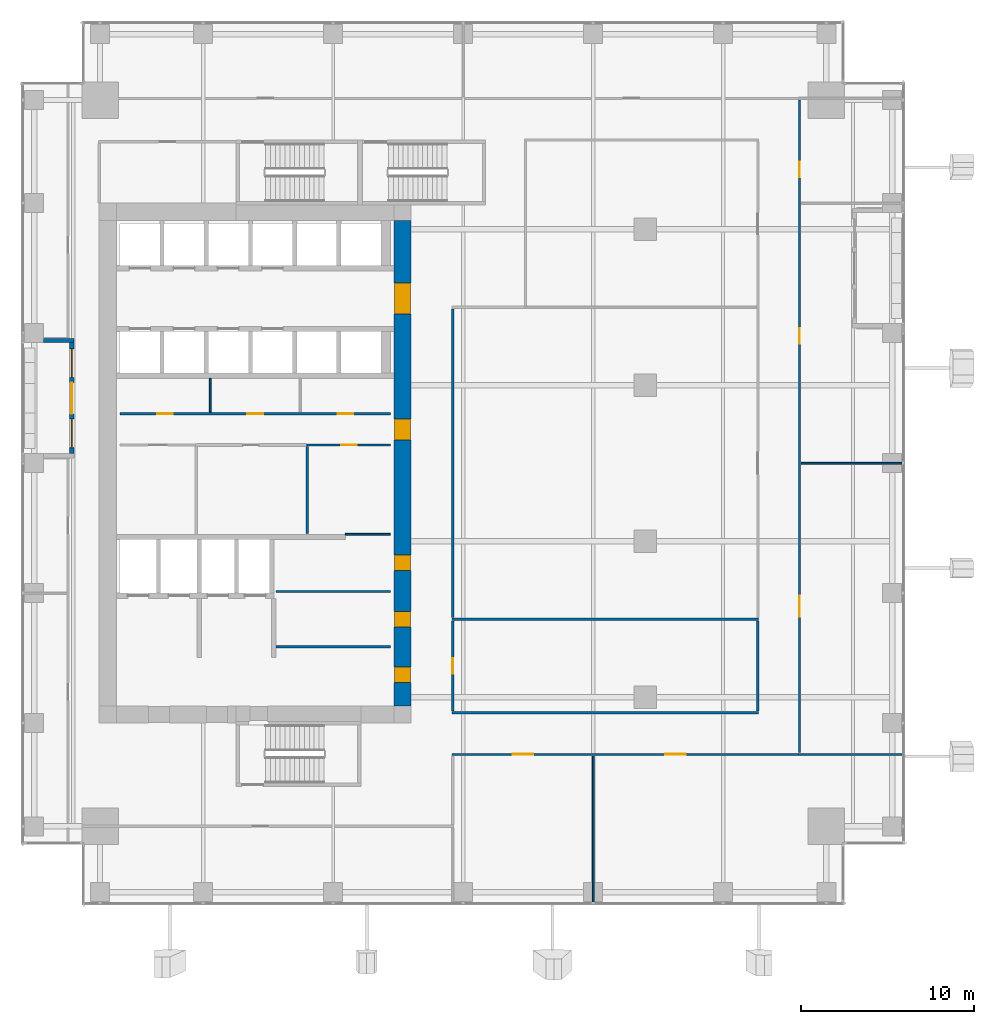
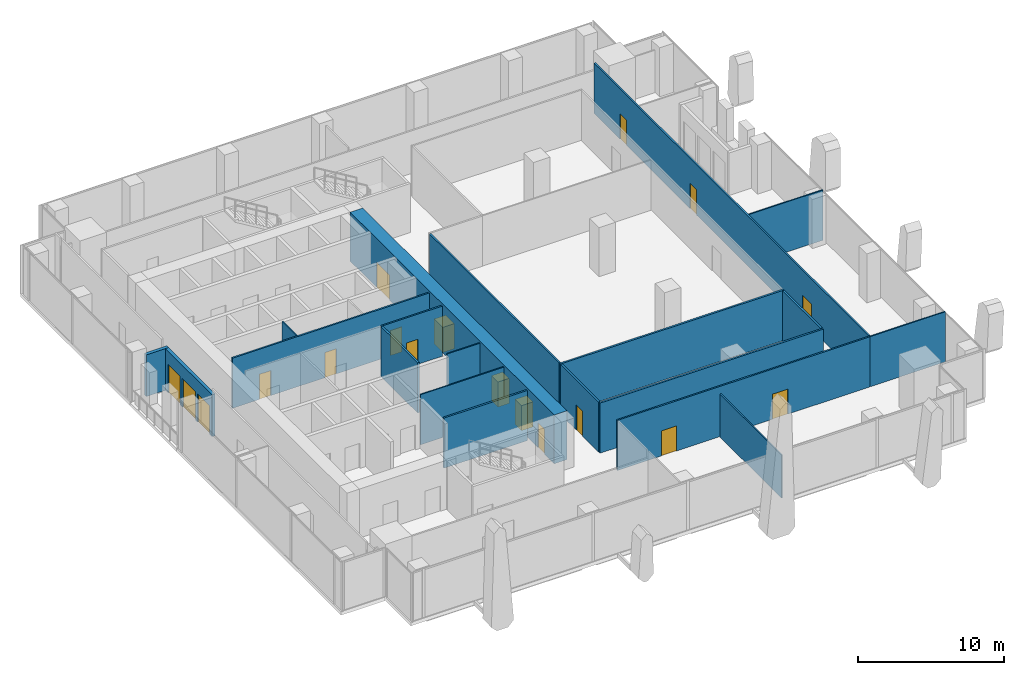
# One storey, part 29 of 35: 20 walls, 16 doors, 2 windows, 18 openings.
"""IFC4 building model written with IfcOpenShell, lengths in metres."""

from ifc_helpers import new_model, si_unit, direction, frame, frame_2d, origin, place, context, subcontext, project, spatial, rectangle, extrude, source, transform, mapped, material, layer, layer_set, type_object, element, fill, save


model = new_model("IFC4")

# Units and contexts
model_context = context("Model", 3, precision=1e-05, world=origin(), true_north=direction((0.0, 1.0)))
body_context = subcontext(model_context, "Body", "Model", "MODEL_VIEW")
ifc_project = project(units=[si_unit("LENGTHUNIT", "METRE"), si_unit("AREAUNIT", "SQUARE_METRE"), si_unit("VOLUMEUNIT", "CUBIC_METRE"), si_unit("PLANEANGLEUNIT", "RADIAN"), si_unit("MASSUNIT", "GRAM", prefix="KILO")], contexts=[model_context])

# Site, building, storey
site_placement = place(None, origin())
site = spatial("IfcSite", under=ifc_project, at=site_placement, CompositionType="ELEMENT")
building_placement = place(site_placement, origin())
building = spatial("IfcBuilding", under=site, at=building_placement, Name="Khomas Fold Tower", CompositionType="ELEMENT")
storey_placement = place(building_placement, frame((0.0, 0.0, 136.699951171875)))
storey = spatial("IfcBuildingStorey", under=building, at=storey_placement, Name="L29", CompositionType="ELEMENT", Elevation=136.699951171875)

# Wall, openings, doors
ifc_material_1 = material(Name="Concrete C70/85", Category="concrete")
ifc_layer_1 = layer(ifc_material_1, 1.0)
ifc_layer_set_1 = layer_set([ifc_layer_1], Name="Concrete C70/85")
wall_type_1 = type_object("IfcWallType", Name="Core wall 1000", PredefinedType="SHEAR", material=ifc_layer_set_1)
shared_shape_1 = source(origin(), body_context, "Body", "SweptSolid", [
    extrude(rectangle(XDim=28.0, YDim=1.0, at=frame_2d((14.0, 0.0))), origin(), (0.0, 0.0, 1.0), 4.10009765625),
])
wall_1_placement = place(storey_placement, frame((23.5, 13.0, 0.0), z_axis=(0.0, 0.0, 1.0), x_axis=(0.0, 1.0, 0.0)))
wall_1 = element("IfcWall", 1, at=wall_1_placement, inside=storey, type_object=wall_type_1, Name="Core wall CW-L-E-L21", PredefinedType="SHEAR", context=body_context, shape_type="MappedRepresentation", body=[
    mapped(shared_shape_1, transform((0.0, 0.0, 0.0))),
])
shared_shape_2 = source(origin(), body_context, "Body", "SweptSolid", [
    extrude(rectangle(XDim=1.800048828125, YDim=2.10009765625, at=frame_2d((0.89990234375, 1.050048828125))), frame((0.0, 0.510009765625, 0.0), z_axis=(0.0, -1.0, 0.0), x_axis=(1.0, 0.0, 0.0)), (0.0, 0.0, 1.0), 1.02001953125),
])
opening_1_placement = place(wall_1_placement, frame((22.60009765625, 0.0, 0.0)))
opening_1 = element("IfcOpeningElement", 2, at=opening_1_placement, cuts=wall_1, Name="Opening 0015", PredefinedType="OPENING", context=body_context, shape_type="MappedRepresentation", body=[
    mapped(shared_shape_2, transform((0.0, 0.0, 0.0))),
])
shared_shape_3 = source(origin(), body_context, "Body", "SweptSolid", [
    extrude(rectangle(XDim=1.199951171875, YDim=2.10009765625, at=frame_2d((0.60009765625, 1.050048828125))), frame((0.0, 0.510009765625, 0.0), z_axis=(0.0, -1.0, 0.0), x_axis=(1.0, 0.0, 0.0)), (0.0, 0.0, 1.0), 1.02001953125),
])
opening_2_placement = place(wall_1_placement, frame((15.35009765625, 0.0, 0.0)))
opening_2 = element("IfcOpeningElement", 3, at=opening_2_placement, cuts=wall_1, Name="Opening 0001", PredefinedType="OPENING", context=body_context, shape_type="MappedRepresentation", body=[
    mapped(shared_shape_3, transform((0.0, 0.0, 0.0))),
])
shared_shape_4 = source(origin(), body_context, "Body", "SweptSolid", [
    extrude(rectangle(XDim=0.89990234375, YDim=2.10009765625, at=frame_2d((0.449951171875, 1.050048828125))), frame((0.0, 0.510009765625, 0.0), z_axis=(0.0, -1.0, 0.0), x_axis=(1.0, 0.0, 0.0)), (0.0, 0.0, 1.0), 1.02001953125),
])
opening_3_placement = place(wall_1_placement, frame((1.35009765625, 0.0, 0.0)))
opening_3 = element("IfcOpeningElement", 4, at=opening_3_placement, cuts=wall_1, Name="Opening 0003", PredefinedType="OPENING", context=body_context, shape_type="MappedRepresentation", body=[
    mapped(shared_shape_4, transform((0.0, 0.0, 0.0))),
])
opening_4_placement = place(wall_1_placement, frame((4.550048828125, 0.0, 0.0)))
opening_4 = element("IfcOpeningElement", 5, at=opening_4_placement, cuts=wall_1, Name="Opening 0008", PredefinedType="OPENING", context=body_context, shape_type="MappedRepresentation", body=[
    mapped(shared_shape_4, transform((0.0, 0.0, 0.0))),
])
opening_5_placement = place(wall_1_placement, frame((7.800048828125, 0.0, 0.0)))
opening_5 = element("IfcOpeningElement", 6, at=opening_5_placement, cuts=wall_1, Name="Opening 0008", PredefinedType="OPENING", context=body_context, shape_type="MappedRepresentation", body=[
    mapped(shared_shape_4, transform((0.0, 0.0, 0.0))),
])
ifc_material_2 = material(Name="Steel door leaf", Category="steel")
door_type_1 = type_object("IfcDoorType", Name="Lobby door 1800x2100", OperationType="DOUBLE_DOOR_SINGLE_SWING", PredefinedType="DOOR", material=ifc_material_2)
shared_shape_5 = source(origin(), body_context, "Body", "SweptSolid", [
    extrude(rectangle(XDim=1.800048828125, YDim=2.10009765625, at=frame_2d((0.89990234375, 1.050048828125))), frame((0.0, 0.449951171875, 0.0), z_axis=(0.0, -1.0, 0.0), x_axis=(1.0, 0.0, 0.0)), (0.0, 0.0, 1.0), 0.89990234375),
])
door_1_placement = place(opening_1_placement, origin())
door_1 = element("IfcDoor", 7, at=door_1_placement, inside=storey, type_object=door_type_1, Name="Lobby door", OperationType="DOUBLE_DOOR_SINGLE_SWING", OverallHeight=2.10009765625, OverallWidth=1.800048828125, PredefinedType="DOOR", context=body_context, shape_type="MappedRepresentation", body=[
    mapped(shared_shape_5, transform((0.0, 0.0, 0.0))),
])
fill(opening_1, door_1)
ifc_material_3 = material(Name="Timber door leaf", Category="wood")
door_type_2 = type_object("IfcDoorType", Name="Door 1200x2100 right-hand", OperationType="SINGLE_SWING_RIGHT", PredefinedType="DOOR", material=ifc_material_3)
shared_shape_6 = source(origin(), body_context, "Body", "SweptSolid", [
    extrude(rectangle(XDim=1.199951171875, YDim=2.10009765625, at=frame_2d((0.60009765625, 1.050048828125))), frame((0.0, 0.449951171875, 0.0), z_axis=(0.0, -1.0, 0.0), x_axis=(1.0, 0.0, 0.0)), (0.0, 0.0, 1.0), 0.89990234375),
])
door_2_placement = place(opening_2_placement, origin())
door_2 = element("IfcDoor", 8, at=door_2_placement, inside=storey, type_object=door_type_2, Name="Door", OperationType="SINGLE_SWING_RIGHT", OverallHeight=2.10009765625, OverallWidth=1.199951171875, PredefinedType="DOOR", context=body_context, shape_type="MappedRepresentation", body=[
    mapped(shared_shape_6, transform((0.0, 0.0, 0.0))),
])
fill(opening_2, door_2)
ifc_material_4 = material(Name="Steel door leaf", Category="steel")
door_type_3 = type_object("IfcDoorType", Name="Plant room door 900x2100 right-hand", OperationType="SINGLE_SWING_RIGHT", PredefinedType="DOOR", material=ifc_material_4)
shared_shape_7 = source(origin(), body_context, "Body", "SweptSolid", [
    extrude(rectangle(XDim=0.89990234375, YDim=2.10009765625, at=frame_2d((0.449951171875, 1.050048828125))), frame((0.0, 0.449951171875, 0.0), z_axis=(0.0, -1.0, 0.0), x_axis=(1.0, 0.0, 0.0)), (0.0, 0.0, 1.0), 0.89990234375),
])
door_3_placement = place(opening_3_placement, origin())
door_3 = element("IfcDoor", 9, at=door_3_placement, inside=storey, type_object=door_type_3, Name="Plant room door", OperationType="SINGLE_SWING_RIGHT", OverallHeight=2.10009765625, OverallWidth=0.89990234375, PredefinedType="DOOR", context=body_context, shape_type="MappedRepresentation", body=[
    mapped(shared_shape_7, transform((0.0, 0.0, 0.0))),
])
fill(opening_3, door_3)
ifc_material_5 = material(Name="Timber door leaf", Category="wood")
door_type_4 = type_object("IfcDoorType", Name="Door 900x2100 right-hand", OperationType="SINGLE_SWING_RIGHT", PredefinedType="DOOR", material=ifc_material_5)
door_4_placement = place(opening_4_placement, origin())
door_4 = element("IfcDoor", 10, at=door_4_placement, inside=storey, type_object=door_type_4, Name="Door", OperationType="SINGLE_SWING_RIGHT", OverallHeight=2.10009765625, OverallWidth=0.89990234375, PredefinedType="DOOR", context=body_context, shape_type="MappedRepresentation", body=[
    mapped(shared_shape_7, transform((0.0, 0.0, 0.0))),
])
fill(opening_4, door_4)
door_5_placement = place(opening_5_placement, origin())
door_5 = element("IfcDoor", 11, at=door_5_placement, inside=storey, type_object=door_type_4, Name="Door", OperationType="SINGLE_SWING_RIGHT", OverallHeight=2.10009765625, OverallWidth=0.89990234375, PredefinedType="DOOR", context=body_context, shape_type="MappedRepresentation", body=[
    mapped(shared_shape_7, transform((0.0, 0.0, 0.0))),
])
fill(opening_5, door_5)

# Wall, openings, door, windows
ifc_material_6 = material(Name="Natural stone", Category="masonry")
ifc_layer_2 = layer(ifc_material_6, 0.0400390625)
ifc_material_7 = material(Name="Mineral wool insulation", Category="insulation")
ifc_layer_3 = layer(ifc_material_7, 0.10009765625)
ifc_material_8 = material(Name="Masonry", Category="masonry")
ifc_layer_4 = layer(ifc_material_8, 0.110107421875)
ifc_layer_set_2 = layer_set([ifc_layer_2, ifc_layer_3, ifc_layer_4], Name="Stone-faced insulated masonry")
wall_type_2 = type_object("IfcWallType", Name="BL-Balcony wall", PredefinedType="SOLIDWALL", material=ifc_layer_set_2)
shared_shape_8 = source(origin(), body_context, "Body", "SweptSolid", [
    extrude(rectangle(XDim=6.39990234375, YDim=0.25, at=frame_2d((3.199951171875, 0.0))), origin(), (0.0, 0.0, 1.0), 3.5),
])
wall_2_placement = place(storey_placement, frame((4.425048828125, 27.550048828125, 0.0), z_axis=(0.0, 0.0, 1.0), x_axis=(0.0, 1.0, 0.0)))
wall_2 = element("IfcWall", 12, at=wall_2_placement, inside=storey, type_object=wall_type_2, Name="Balcony wall BAL-L29-W3", PredefinedType="SOLIDWALL", context=body_context, shape_type="MappedRepresentation", body=[
    mapped(shared_shape_8, transform((0.0, 0.0, 0.0))),
])
shared_shape_9 = source(origin(), body_context, "Body", "SweptSolid", [
    extrude(rectangle(XDim=1.64990234375, YDim=2.39990234375, at=frame_2d((0.824951171875, 1.199951171875))), frame((0.0, 0.135009765625, 0.0), z_axis=(0.0, -1.0, 0.0), x_axis=(1.0, 0.0, 0.0)), (0.0, 0.0, 1.0), 0.27001953125),
])
opening_6_placement = place(wall_2_placement, frame((0.35009765625, 0.0, 0.0)))
opening_6 = element("IfcOpeningElement", 13, at=opening_6_placement, cuts=wall_2, Name="Opening BL-W2", PredefinedType="OPENING", context=body_context, shape_type="MappedRepresentation", body=[
    mapped(shared_shape_9, transform((0.0, 0.0, 0.0))),
])
opening_7_placement = place(wall_2_placement, frame((4.39990234375, 0.0, 0.0)))
opening_7 = element("IfcOpeningElement", 14, at=opening_7_placement, cuts=wall_2, Name="Opening BL-W2", PredefinedType="OPENING", context=body_context, shape_type="MappedRepresentation", body=[
    mapped(shared_shape_9, transform((0.0, 0.0, 0.0))),
])
shared_shape_10 = source(origin(), body_context, "Body", "SweptSolid", [
    extrude(rectangle(XDim=1.800048828125, YDim=2.39990234375, at=frame_2d((0.89990234375, 1.199951171875))), frame((0.0, 0.135009765625, 0.0), z_axis=(0.0, -1.0, 0.0), x_axis=(1.0, 0.0, 0.0)), (0.0, 0.0, 1.0), 0.27001953125),
])
opening_8_placement = place(wall_2_placement, frame((2.300048828125, 0.0, 0.0)))
opening_8 = element("IfcOpeningElement", 15, at=opening_8_placement, cuts=wall_2, Name="Opening BD292", PredefinedType="OPENING", context=body_context, shape_type="MappedRepresentation", body=[
    mapped(shared_shape_10, transform((0.0, 0.0, 0.0))),
])
ifc_material_9 = material(Name="Aluminium framed double glazing", Category="aluminium")
door_type_5 = type_object("IfcDoorType", Name="BL-Glazed balcony door 1800 x 2400", OperationType="DOUBLE_DOOR_DOUBLE_SWING", PredefinedType="DOOR", material=ifc_material_9)
shared_shape_11 = source(origin(), body_context, "Body", "SweptSolid", [
    extrude(rectangle(XDim=1.800048828125, YDim=2.39990234375, at=frame_2d((0.89990234375, 1.199951171875))), frame((0.0, 0.02490234375, 0.0), z_axis=(0.0, -1.0, 0.0), x_axis=(1.0, 0.0, 0.0)), (0.0, 0.0, 1.0), 0.050048828125),
])
door_6_placement = place(opening_8_placement, origin())
door_6 = element("IfcDoor", 16, at=door_6_placement, inside=storey, type_object=door_type_5, Name="Balcony door BD292", OperationType="DOUBLE_DOOR_DOUBLE_SWING", OverallHeight=2.39990234375, OverallWidth=1.800048828125, PredefinedType="DOOR", context=body_context, shape_type="MappedRepresentation", body=[
    mapped(shared_shape_11, transform((0.0, 0.0, 0.0))),
])
fill(opening_8, door_6)
ifc_material_10 = material(Name="Aluminium framed double glazing", Category="aluminium")
window_type = type_object("IfcWindowType", Name="BL-Fixed glazing 1650 x 2400", PartitioningType="SINGLE_PANEL", PredefinedType="WINDOW", material=ifc_material_10)
shared_shape_12 = source(origin(), body_context, "Body", "SweptSolid", [
    extrude(rectangle(XDim=1.64990234375, YDim=2.39990234375, at=frame_2d((0.824951171875, 1.199951171875))), frame((0.0, 0.030029296875, 0.0), z_axis=(0.0, -1.0, 0.0), x_axis=(1.0, 0.0, 0.0)), (0.0, 0.0, 1.0), 0.06005859375),
])
window_1_placement = place(opening_6_placement, origin())
window_1 = element("IfcWindow", 17, at=window_1_placement, inside=storey, type_object=window_type, Name="Balcony glazing BAL-L29-W3-1", OverallHeight=2.39990234375, OverallWidth=1.64990234375, PartitioningType="SINGLE_PANEL", PredefinedType="WINDOW", context=body_context, shape_type="MappedRepresentation", body=[
    mapped(shared_shape_12, transform((0.0, 0.0, 0.0))),
])
fill(opening_6, window_1)
window_2_placement = place(opening_7_placement, origin())
window_2 = element("IfcWindow", 18, at=window_2_placement, inside=storey, type_object=window_type, Name="Balcony glazing BAL-L29-W3-2", OverallHeight=2.39990234375, OverallWidth=1.64990234375, PartitioningType="SINGLE_PANEL", PredefinedType="WINDOW", context=body_context, shape_type="MappedRepresentation", body=[
    mapped(shared_shape_12, transform((0.0, 0.0, 0.0))),
])
fill(opening_7, window_2)

# Walls
shared_shape_13 = source(origin(), body_context, "Body", "SweptSolid", [
    extrude(rectangle(XDim=1.75, YDim=0.25, at=frame_2d((0.875, 0.0))), origin(), (0.0, 0.0, 1.0), 3.5),
])
wall_3_placement = place(storey_placement, frame((2.800048828125, 34.074951171875, 0.0), z_axis=(0.0, 0.0, 1.0), x_axis=(1.0, 0.0, 0.0)))
element("IfcWall", 19, at=wall_3_placement, inside=storey, type_object=wall_type_2, Name="Balcony return wall BAL-L29-W3-hi", PredefinedType="SOLIDWALL", context=body_context, shape_type="MappedRepresentation", body=[
    mapped(shared_shape_13, transform((0.0, 0.0, 0.0))),
])
ifc_material_11 = material(Name="Plasterboard partition")
ifc_layer_5 = layer(ifc_material_11, 0.10009765625)
ifc_layer_set_3 = layer_set([ifc_layer_5], Name="Plasterboard partition")
wall_type_3 = type_object("IfcWallType", Name="Partition PW1 100", PredefinedType="PARTITIONING", material=ifc_layer_set_3)
shared_shape_14 = source(origin(), body_context, "Body", "SweptSolid", [
    extrude(rectangle(XDim=2.60009765625, YDim=0.10009765625, at=frame_2d((1.300048828125, 0.0))), origin(), (0.0, 0.0, 1.0), 4.199951171875),
])
wall_4_placement = place(storey_placement, frame((20.199951171875, 22.89990234375, 0.0), z_axis=(0.0, 0.0, 1.0), x_axis=(1.0, 0.0, 0.0)))
element("IfcWall", 20, at=wall_4_placement, inside=storey, type_object=wall_type_3, Name="Partition", PredefinedType="PARTITIONING", context=body_context, shape_type="MappedRepresentation", body=[
    mapped(shared_shape_14, transform((0.0, 0.0, 0.0))),
])

# Wall, openings, doors
ifc_material_12 = material(Name="Plasterboard partition")
ifc_layer_6 = layer(ifc_material_12, 0.125)
ifc_layer_set_4 = layer_set([ifc_layer_6], Name="Plasterboard partition")
wall_type_4 = type_object("IfcWallType", Name="Partition PW2 125", PredefinedType="PARTITIONING", material=ifc_layer_set_4)
shared_shape_15 = source(origin(), body_context, "Body", "SweptSolid", [
    extrude(rectangle(XDim=15.60009765625, YDim=0.125, at=frame_2d((7.800048828125, 0.0))), origin(), (0.0, 0.0, 1.0), 4.199951171875),
])
wall_5_placement = place(storey_placement, frame((7.199951171875, 29.85009765625, 0.0), z_axis=(0.0, 0.0, 1.0), x_axis=(1.0, 0.0, 0.0)))
wall_5 = element("IfcWall", 21, at=wall_5_placement, inside=storey, type_object=wall_type_4, Name="Partition", PredefinedType="PARTITIONING", context=body_context, shape_type="MappedRepresentation", body=[
    mapped(shared_shape_15, transform((0.0, 0.0, 0.0))),
])
shared_shape_16 = source(origin(), body_context, "Body", "SweptSolid", [
    extrude(rectangle(XDim=0.89990234375, YDim=2.10009765625, at=frame_2d((0.449951171875, 1.050048828125))), frame((0.0, 0.072509765625, 0.0), z_axis=(0.0, -1.0, 0.0), x_axis=(1.0, 0.0, 0.0)), (0.0, 0.0, 1.0), 0.14501953125),
])
opening_9_placement = place(wall_5_placement, frame((2.14990234375, 0.0, 0.0)))
opening_9 = element("IfcOpeningElement", 22, at=opening_9_placement, cuts=wall_5, Name="Opening 0005", PredefinedType="OPENING", context=body_context, shape_type="MappedRepresentation", body=[
    mapped(shared_shape_16, transform((0.0, 0.0, 0.0))),
])
opening_10_placement = place(wall_5_placement, frame((7.35009765625, 0.0, 0.0)))
opening_10 = element("IfcOpeningElement", 23, at=opening_10_placement, cuts=wall_5, Name="Opening 0004", PredefinedType="OPENING", context=body_context, shape_type="MappedRepresentation", body=[
    mapped(shared_shape_16, transform((0.0, 0.0, 0.0))),
])
opening_11_placement = place(wall_5_placement, frame((12.550048828125, 0.0, 0.0)))
opening_11 = element("IfcOpeningElement", 24, at=opening_11_placement, cuts=wall_5, Name="Opening 0007", PredefinedType="OPENING", context=body_context, shape_type="MappedRepresentation", body=[
    mapped(shared_shape_16, transform((0.0, 0.0, 0.0))),
])
ifc_material_13 = material(Name="Timber door leaf", Category="wood")
door_type_6 = type_object("IfcDoorType", Name="WC door 900x2100 left-hand", OperationType="SINGLE_SWING_LEFT", PredefinedType="DOOR", material=ifc_material_13)
shared_shape_17 = source(origin(), body_context, "Body", "SweptSolid", [
    extrude(rectangle(XDim=0.89990234375, YDim=2.10009765625, at=frame_2d((0.449951171875, 1.050048828125))), frame((0.0, 0.02490234375, 0.0), z_axis=(0.0, -1.0, 0.0), x_axis=(1.0, 0.0, 0.0)), (0.0, 0.0, 1.0), 0.050048828125),
])
door_7_placement = place(opening_9_placement, origin())
door_7 = element("IfcDoor", 25, at=door_7_placement, inside=storey, type_object=door_type_6, Name="WC door", OperationType="SINGLE_SWING_LEFT", OverallHeight=2.10009765625, OverallWidth=0.89990234375, PredefinedType="DOOR", context=body_context, shape_type="MappedRepresentation", body=[
    mapped(shared_shape_17, transform((0.0, 0.0, 0.0))),
])
fill(opening_9, door_7)
ifc_material_14 = material(Name="Timber door leaf", Category="wood")
door_type_7 = type_object("IfcDoorType", Name="WC door 900x2100 right-hand", OperationType="SINGLE_SWING_RIGHT", PredefinedType="DOOR", material=ifc_material_14)
door_8_placement = place(opening_10_placement, origin())
door_8 = element("IfcDoor", 26, at=door_8_placement, inside=storey, type_object=door_type_7, Name="WC door", OperationType="SINGLE_SWING_RIGHT", OverallHeight=2.10009765625, OverallWidth=0.89990234375, PredefinedType="DOOR", context=body_context, shape_type="MappedRepresentation", body=[
    mapped(shared_shape_17, transform((0.0, 0.0, 0.0))),
])
fill(opening_10, door_8)
ifc_material_15 = material(Name="Timber door leaf", Category="wood")
door_type_8 = type_object("IfcDoorType", Name="Door 900x2100 left-hand", OperationType="SINGLE_SWING_LEFT", PredefinedType="DOOR", material=ifc_material_15)
door_9_placement = place(opening_11_placement, origin())
door_9 = element("IfcDoor", 27, at=door_9_placement, inside=storey, type_object=door_type_8, Name="Door", OperationType="SINGLE_SWING_LEFT", OverallHeight=2.10009765625, OverallWidth=0.89990234375, PredefinedType="DOOR", context=body_context, shape_type="MappedRepresentation", body=[
    mapped(shared_shape_17, transform((0.0, 0.0, 0.0))),
])
fill(opening_11, door_9)

# Wall
shared_shape_18 = source(origin(), body_context, "Body", "SweptSolid", [
    extrude(rectangle(XDim=8.4501953125, YDim=0.10009765625, at=frame_2d((4.22509765625, 0.0))), origin(), (0.0, 0.0, 1.0), 3.60009765625),
])
wall_6_placement = place(storey_placement, frame((34.5, 1.64990234375, 0.0), z_axis=(0.0, 0.0, 1.0), x_axis=(0.0, 1.0, 0.0)))
element("IfcWall", 28, at=wall_6_placement, inside=storey, type_object=wall_type_3, Name="Partition", PredefinedType="PARTITIONING", context=body_context, shape_type="MappedRepresentation", body=[
    mapped(shared_shape_18, transform((0.0, 0.0, 0.0))),
])

# Wall, openings, doors
shared_shape_19 = source(origin(), body_context, "Body", "SweptSolid", [
    extrude(rectangle(XDim=20.0, YDim=0.125, at=frame_2d((10.0, 0.0))), origin(), (0.0, 0.0, 1.0), 4.199951171875),
])
wall_7_placement = place(storey_placement, frame((26.35009765625, 10.199951171875, 0.0), z_axis=(0.0, 0.0, 1.0), x_axis=(1.0, 0.0, 0.0)))
wall_7 = element("IfcWall", 29, at=wall_7_placement, inside=storey, type_object=wall_type_4, Name="Partition", PredefinedType="PARTITIONING", context=body_context, shape_type="MappedRepresentation", body=[
    mapped(shared_shape_19, transform((0.0, 0.0, 0.0))),
])
shared_shape_20 = source(origin(), body_context, "Body", "SweptSolid", [
    extrude(rectangle(XDim=1.199951171875, YDim=2.10009765625, at=frame_2d((0.60009765625, 1.050048828125))), frame((0.0, 0.072509765625, 0.0), z_axis=(0.0, -1.0, 0.0), x_axis=(1.0, 0.0, 0.0)), (0.0, 0.0, 1.0), 0.14501953125),
])
opening_12_placement = place(wall_7_placement, frame((3.5, 0.0, 0.0)))
opening_12 = element("IfcOpeningElement", 30, at=opening_12_placement, cuts=wall_7, Name="Opening 0001", PredefinedType="OPENING", context=body_context, shape_type="MappedRepresentation", body=[
    mapped(shared_shape_20, transform((0.0, 0.0, 0.0))),
])
opening_13_placement = place(wall_7_placement, frame((12.300048828125, 0.0, 0.0)))
opening_13 = element("IfcOpeningElement", 31, at=opening_13_placement, cuts=wall_7, Name="Opening 0013", PredefinedType="OPENING", context=body_context, shape_type="MappedRepresentation", body=[
    mapped(shared_shape_20, transform((0.0, 0.0, 0.0))),
])
shared_shape_21 = source(origin(), body_context, "Body", "SweptSolid", [
    extrude(rectangle(XDim=1.199951171875, YDim=2.10009765625, at=frame_2d((0.60009765625, 1.050048828125))), frame((0.0, 0.02490234375, 0.0), z_axis=(0.0, -1.0, 0.0), x_axis=(1.0, 0.0, 0.0)), (0.0, 0.0, 1.0), 0.050048828125),
])
door_10_placement = place(opening_12_placement, origin())
door_10 = element("IfcDoor", 32, at=door_10_placement, inside=storey, type_object=door_type_2, Name="Door", OperationType="SINGLE_SWING_RIGHT", OverallHeight=2.10009765625, OverallWidth=1.199951171875, PredefinedType="DOOR", context=body_context, shape_type="MappedRepresentation", body=[
    mapped(shared_shape_21, transform((0.0, 0.0, 0.0))),
])
fill(opening_12, door_10)
ifc_material_16 = material(Name="Timber door leaf", Category="wood")
door_type_9 = type_object("IfcDoorType", Name="Door 1200x2100 left-hand", OperationType="SINGLE_SWING_LEFT", PredefinedType="DOOR", material=ifc_material_16)
door_11_placement = place(opening_13_placement, origin())
door_11 = element("IfcDoor", 33, at=door_11_placement, inside=storey, type_object=door_type_9, Name="Door", OperationType="SINGLE_SWING_LEFT", OverallHeight=2.10009765625, OverallWidth=1.199951171875, PredefinedType="DOOR", context=body_context, shape_type="MappedRepresentation", body=[
    mapped(shared_shape_21, transform((0.0, 0.0, 0.0))),
])
fill(opening_13, door_11)

# Wall
shared_shape_22 = source(origin(), body_context, "Body", "SweptSolid", [
    extrude(rectangle(XDim=6.0, YDim=0.10009765625, at=frame_2d((3.0, 0.0))), origin(), (0.0, 0.0, 1.0), 4.199951171875),
])
wall_8_placement = place(storey_placement, frame((46.35009765625, 10.199951171875, 0.0), z_axis=(0.0, 0.0, 1.0), x_axis=(1.0, 0.0, 0.0)))
element("IfcWall", 34, at=wall_8_placement, inside=storey, type_object=wall_type_3, Name="Partition", PredefinedType="PARTITIONING", context=body_context, shape_type="MappedRepresentation", body=[
    mapped(shared_shape_22, transform((0.0, 0.0, 0.0))),
])

# Wall, openings, doors
shared_shape_23 = source(origin(), body_context, "Body", "SweptSolid", [
    extrude(rectangle(XDim=37.64990234375, YDim=0.125, at=frame_2d((18.824951171875, 0.0))), origin(), (0.0, 0.0, 1.0), 4.199951171875),
])
wall_9_placement = place(storey_placement, frame((46.39990234375, 10.300048828125, 0.0), z_axis=(0.0, 0.0, 1.0), x_axis=(0.0, 1.0, 0.0)))
wall_9 = element("IfcWall", 35, at=wall_9_placement, inside=storey, type_object=wall_type_4, Name="Partition", PredefinedType="PARTITIONING", context=body_context, shape_type="MappedRepresentation", body=[
    mapped(shared_shape_23, transform((0.0, 0.0, 0.0))),
])
opening_14_placement = place(wall_9_placement, frame((7.85009765625, 0.0, 0.0)))
opening_14 = element("IfcOpeningElement", 36, at=opening_14_placement, cuts=wall_9, Name="Opening 0001", PredefinedType="OPENING", context=body_context, shape_type="MappedRepresentation", body=[
    mapped(shared_shape_20, transform((0.0, 0.0, 0.0))),
])
opening_15_placement = place(wall_9_placement, frame((23.60009765625, 0.0, 0.0)))
opening_15 = element("IfcOpeningElement", 37, at=opening_15_placement, cuts=wall_9, Name="Opening 0007", PredefinedType="OPENING", context=body_context, shape_type="MappedRepresentation", body=[
    mapped(shared_shape_16, transform((0.0, 0.0, 0.0))),
])
opening_16_placement = place(wall_9_placement, frame((33.199951171875, 0.0, 0.0)))
opening_16 = element("IfcOpeningElement", 38, at=opening_16_placement, cuts=wall_9, Name="Opening 0008", PredefinedType="OPENING", context=body_context, shape_type="MappedRepresentation", body=[
    mapped(shared_shape_16, transform((0.0, 0.0, 0.0))),
])
door_12_placement = place(opening_15_placement, origin())
door_12 = element("IfcDoor", 39, at=door_12_placement, inside=storey, type_object=door_type_8, Name="Door", OperationType="SINGLE_SWING_LEFT", OverallHeight=2.10009765625, OverallWidth=0.89990234375, PredefinedType="DOOR", context=body_context, shape_type="MappedRepresentation", body=[
    mapped(shared_shape_17, transform((0.0, 0.0, 0.0))),
])
fill(opening_15, door_12)
door_13_placement = place(opening_16_placement, origin())
door_13 = element("IfcDoor", 40, at=door_13_placement, inside=storey, type_object=door_type_4, Name="Door", OperationType="SINGLE_SWING_RIGHT", OverallHeight=2.10009765625, OverallWidth=0.89990234375, PredefinedType="DOOR", context=body_context, shape_type="MappedRepresentation", body=[
    mapped(shared_shape_17, transform((0.0, 0.0, 0.0))),
])
fill(opening_16, door_13)
door_14_placement = place(opening_14_placement, origin())
door_14 = element("IfcDoor", 41, at=door_14_placement, inside=storey, type_object=door_type_2, Name="Door", OperationType="SINGLE_SWING_RIGHT", OverallHeight=2.10009765625, OverallWidth=1.199951171875, PredefinedType="DOOR", context=body_context, shape_type="MappedRepresentation", body=[
    mapped(shared_shape_21, transform((0.0, 0.0, 0.0))),
])
fill(opening_14, door_14)

# Walls
ifc_material_17 = material(Name="Plasterboard fire partition")
ifc_layer_7 = layer(ifc_material_17, 0.14990234375)
ifc_layer_set_5 = layer_set([ifc_layer_7], Name="Plasterboard fire partition")
wall_type_5 = type_object("IfcWallType", Name="Plant room wall PW3 150", PredefinedType="PARTITIONING", material=ifc_layer_set_5)
shared_shape_24 = source(origin(), body_context, "Body", "SweptSolid", [
    extrude(rectangle(XDim=6.60009765625, YDim=0.14990234375, at=frame_2d((3.300048828125, 0.0))), origin(), (0.0, 0.0, 1.0), 4.199951171875),
])
wall_10_placement = place(storey_placement, frame((16.199951171875, 16.39990234375, 0.0), z_axis=(0.0, 0.0, 1.0), x_axis=(1.0, 0.0, 0.0)))
element("IfcWall", 42, at=wall_10_placement, inside=storey, type_object=wall_type_5, Name="Plant room wall", PredefinedType="PARTITIONING", context=body_context, shape_type="MappedRepresentation", body=[
    mapped(shared_shape_24, transform((0.0, 0.0, 0.0))),
])
shared_shape_25 = source(origin(), body_context, "Body", "SweptSolid", [
    extrude(rectangle(XDim=5.85009765625, YDim=0.10009765625, at=frame_2d((2.925048828125, 0.0))), origin(), (0.0, 0.0, 1.0), 4.199951171875),
])
wall_11_placement = place(storey_placement, frame((46.5, 27.0, 0.0), z_axis=(0.0, 0.0, 1.0), x_axis=(1.0, 0.0, 0.0)))
element("IfcWall", 43, at=wall_11_placement, inside=storey, type_object=wall_type_3, Name="Partition", PredefinedType="PARTITIONING", context=body_context, shape_type="MappedRepresentation", body=[
    mapped(shared_shape_25, transform((0.0, 0.0, 0.0))),
])
shared_shape_26 = source(origin(), body_context, "Body", "SweptSolid", [
    extrude(rectangle(XDim=17.699951171875, YDim=0.14990234375, at=frame_2d((8.85009765625, 0.0))), origin(), (0.0, 0.0, 1.0), 4.199951171875),
])
for number, where, z_axis, x_axis, name in (
    (44, (26.35009765625, 12.60009765625, 0.0), (0.0, 0.0, 1.0), (1.0, 0.0, 0.0), "Plant room wall"),
    (45, (26.35009765625, 18.0, 0.0), (0.0, 0.0, 1.0), (1.0, 0.0, 0.0), "Plant room wall"),
):
    element("IfcWall", number, at=place(storey_placement, frame(where, z_axis=z_axis, x_axis=x_axis)), inside=storey, type_object=wall_type_5, Name=name, PredefinedType="PARTITIONING", context=body_context, shape_type="MappedRepresentation", body=[
        mapped(shared_shape_26, transform((0.0, 0.0, 0.0))),
    ])

# Wall, opening, door
shared_shape_27 = source(origin(), body_context, "Body", "SweptSolid", [
    extrude(rectangle(XDim=5.199951171875, YDim=0.14990234375, at=frame_2d((2.60009765625, 0.0))), origin(), (0.0, 0.0, 1.0), 4.199951171875),
])
wall_12_placement = place(storey_placement, frame((26.39990234375, 12.699951171875, 0.0), z_axis=(0.0, 0.0, 1.0), x_axis=(0.0, 1.0, 0.0)))
wall_12 = element("IfcWall", 46, at=wall_12_placement, inside=storey, type_object=wall_type_5, Name="Plant room wall", PredefinedType="PARTITIONING", context=body_context, shape_type="MappedRepresentation", body=[
    mapped(shared_shape_27, transform((0.0, 0.0, 0.0))),
])
shared_shape_28 = source(origin(), body_context, "Body", "SweptSolid", [
    extrude(rectangle(XDim=0.89990234375, YDim=2.10009765625, at=frame_2d((0.449951171875, 1.050048828125))), frame((0.0, 0.0849609375, 0.0), z_axis=(0.0, -1.0, 0.0), x_axis=(1.0, 0.0, 0.0)), (0.0, 0.0, 1.0), 0.169921875),
])
opening_17_placement = place(wall_12_placement, frame((2.14990234375, 0.0, 0.0)))
opening_17 = element("IfcOpeningElement", 47, at=opening_17_placement, cuts=wall_12, Name="Opening 0003", PredefinedType="OPENING", context=body_context, shape_type="MappedRepresentation", body=[
    mapped(shared_shape_28, transform((0.0, 0.0, 0.0))),
])
door_15_placement = place(opening_17_placement, origin())
door_15 = element("IfcDoor", 48, at=door_15_placement, inside=storey, type_object=door_type_3, Name="Plant room door", OperationType="SINGLE_SWING_RIGHT", OverallHeight=2.10009765625, OverallWidth=0.89990234375, PredefinedType="DOOR", context=body_context, shape_type="MappedRepresentation", body=[
    mapped(shared_shape_17, transform((0.0, 0.0, 0.0))),
])
fill(opening_17, door_15)

# Walls
wall_13_placement = place(storey_placement, frame((44.0, 12.699951171875, 0.0), z_axis=(0.0, 0.0, 1.0), x_axis=(0.0, 1.0, 0.0)))
element("IfcWall", 49, at=wall_13_placement, inside=storey, type_object=wall_type_5, Name="Plant room wall", PredefinedType="PARTITIONING", context=body_context, shape_type="MappedRepresentation", body=[
    mapped(shared_shape_27, transform((0.0, 0.0, 0.0))),
])
shared_shape_29 = source(origin(), body_context, "Body", "SweptSolid", [
    extrude(rectangle(XDim=17.7998046875, YDim=0.125, at=frame_2d((8.89990234375, 0.0))), origin(), (0.0, 0.0, 1.0), 4.199951171875),
])
wall_14_placement = place(storey_placement, frame((26.39990234375, 18.10009765625, 0.0), z_axis=(0.0, 0.0, 1.0), x_axis=(0.0, 1.0, 0.0)))
element("IfcWall", 50, at=wall_14_placement, inside=storey, type_object=wall_type_4, Name="Partition", PredefinedType="PARTITIONING", context=body_context, shape_type="MappedRepresentation", body=[
    mapped(shared_shape_29, transform((0.0, 0.0, 0.0))),
])
shared_shape_30 = source(origin(), body_context, "Body", "SweptSolid", [
    extrude(rectangle(XDim=6.60009765625, YDim=0.10009765625, at=frame_2d((3.300048828125, 0.0))), origin(), (0.0, 0.0, 1.0), 4.199951171875),
])
wall_15_placement = place(storey_placement, frame((16.199951171875, 19.60009765625, 0.0), z_axis=(0.0, 0.0, 1.0), x_axis=(1.0, 0.0, 0.0)))
element("IfcWall", 51, at=wall_15_placement, inside=storey, type_object=wall_type_3, Name="Partition", PredefinedType="PARTITIONING", context=body_context, shape_type="MappedRepresentation", body=[
    mapped(shared_shape_30, transform((0.0, 0.0, 0.0))),
])
shared_shape_31 = source(origin(), body_context, "Body", "SweptSolid", [
    extrude(rectangle(XDim=5.0, YDim=0.14990234375, at=frame_2d((2.5, 0.0))), origin(), (0.0, 0.0, 1.0), 4.199951171875),
])
wall_16_placement = place(storey_placement, frame((18.0, 22.949951171875, 0.0), z_axis=(0.0, 0.0, 1.0), x_axis=(0.0, 1.0, 0.0)))
element("IfcWall", 52, at=wall_16_placement, inside=storey, type_object=wall_type_5, Name="Plant room wall", PredefinedType="PARTITIONING", context=body_context, shape_type="MappedRepresentation", body=[
    mapped(shared_shape_31, transform((0.0, 0.0, 0.0))),
])

# Wall, opening, door
shared_shape_32 = source(origin(), body_context, "Body", "SweptSolid", [
    extrude(rectangle(XDim=4.85009765625, YDim=0.125, at=frame_2d((2.425048828125, 0.0))), origin(), (0.0, 0.0, 1.0), 4.199951171875),
])
wall_17_placement = place(storey_placement, frame((17.949951171875, 28.050048828125, 0.0), z_axis=(0.0, 0.0, 1.0), x_axis=(1.0, 0.0, 0.0)))
wall_17 = element("IfcWall", 53, at=wall_17_placement, inside=storey, type_object=wall_type_4, Name="Partition", PredefinedType="PARTITIONING", context=body_context, shape_type="MappedRepresentation", body=[
    mapped(shared_shape_32, transform((0.0, 0.0, 0.0))),
])
opening_18_placement = place(wall_17_placement, frame((2.0, 0.0, 0.0)))
opening_18 = element("IfcOpeningElement", 54, at=opening_18_placement, cuts=wall_17, Name="Opening 0007", PredefinedType="OPENING", context=body_context, shape_type="MappedRepresentation", body=[
    mapped(shared_shape_16, transform((0.0, 0.0, 0.0))),
])
door_16_placement = place(opening_18_placement, origin())
door_16 = element("IfcDoor", 55, at=door_16_placement, inside=storey, type_object=door_type_8, Name="Door", OperationType="SINGLE_SWING_LEFT", OverallHeight=2.10009765625, OverallWidth=0.89990234375, PredefinedType="DOOR", context=body_context, shape_type="MappedRepresentation", body=[
    mapped(shared_shape_17, transform((0.0, 0.0, 0.0))),
])
fill(opening_18, door_16)

# Wall
shared_shape_33 = source(origin(), body_context, "Body", "SweptSolid", [
    extrude(rectangle(XDim=1.949951171875, YDim=0.10009765625, at=frame_2d((0.97509765625, 0.0))), origin(), (0.0, 0.0, 1.0), 4.199951171875),
])
wall_18_placement = place(storey_placement, frame((12.39990234375, 29.949951171875, 0.0), z_axis=(0.0, 0.0, 1.0), x_axis=(0.0, 1.0, 0.0)))
element("IfcWall", 56, at=wall_18_placement, inside=storey, type_object=wall_type_3, Name="Partition", PredefinedType="PARTITIONING", context=body_context, shape_type="MappedRepresentation", body=[
    mapped(shared_shape_33, transform((0.0, 0.0, 0.0))),
])

save(model, "model.ifc")
